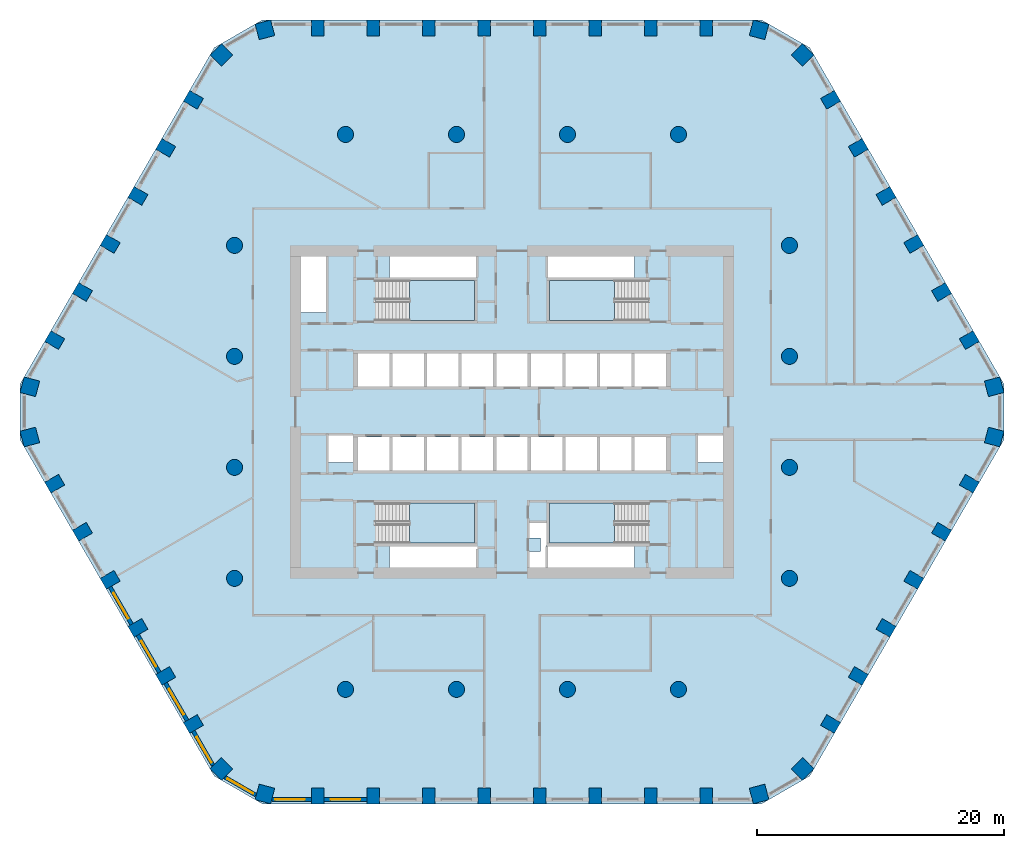
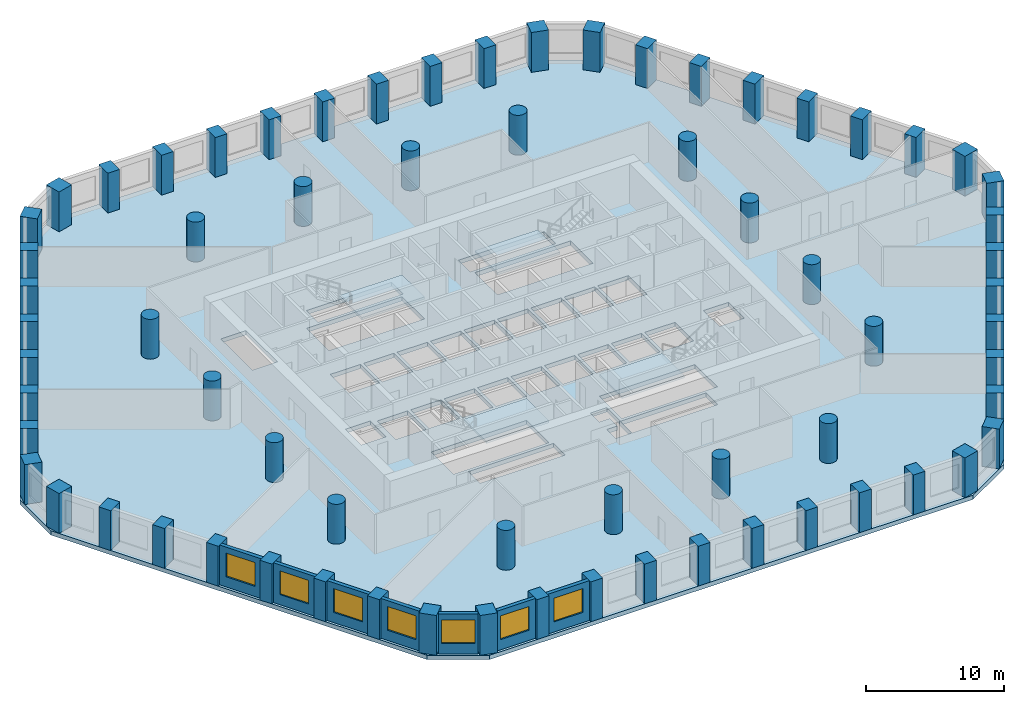
# One storey, part 1 of 10: 68 columns, 7 walls, 7 windows, 5 slabs, 7 openings, 4 elements without a shape of their own.
"""IFC4 building model written with IfcOpenShell, lengths in metres."""

from ifc_helpers import new_model, si_unit, direction, frame, frame_2d, origin, origin_2d, place, context, subcontext, project, spatial, polyline, rectangle, circle, outline, extrude, material, layer, layer_set, material_profile, profile_set, type_object, element, fill, aggregate, save


model = new_model("IFC4")

# Units and contexts
model_context = context("Model", 3, precision=1e-05, world=origin(), true_north=direction((0.0, 1.0)))
body_context = subcontext(model_context, "Body", "Model", "MODEL_VIEW")
ifc_project = project(units=[si_unit("LENGTHUNIT", "METRE"), si_unit("AREAUNIT", "SQUARE_METRE"), si_unit("VOLUMEUNIT", "CUBIC_METRE"), si_unit("PLANEANGLEUNIT", "RADIAN"), si_unit("MASSUNIT", "GRAM", prefix="KILO")], contexts=[model_context])

# Site, building, storey
site_placement = place(None, origin())
site = spatial("IfcSite", under=ifc_project, at=site_placement, CompositionType="ELEMENT")
building_placement = place(site_placement, origin())
building = spatial("IfcBuilding", under=site, at=building_placement, Name="Dhurran Vertical Campus", CompositionType="ELEMENT")
storey_placement = place(building_placement, frame((0.0, 0.0, 85.199951171875)))
storey = spatial("IfcBuildingStorey", under=building, at=storey_placement, Name="L20", CompositionType="ELEMENT", Elevation=85.199951171875)

# Columns
ifc_material_1 = material(Name="Concrete C60/75", Category="concrete")
ifc_material_profile_1 = material_profile(ifc_material_1, rectangle(XDim=1.0, YDim=1.300048828125, at=origin_2d()), Name="RC 1000x1300")
ifc_profile_set_1 = profile_set([ifc_material_profile_1], Name="Concrete C60/75")
column_type_1 = type_object("IfcColumnType", Name="FR COL RC 1000x1300 C60/75", PredefinedType="COLUMN", material=ifc_profile_set_1)
for number, where, z_axis, x_axis, name in (
    (1, (-15.75, -31.1298828125, 0.0), (0.0, 0.0, 1.0), (1.0, 0.0, 0.0), "Perimeter pier PP2.01"),
    (2, (-11.25, -31.1298828125, 0.0), (0.0, 0.0, 1.0), (1.0, 0.0, 0.0), "Perimeter pier PP2.02"),
    (3, (-6.75, -31.1298828125, 0.0), (0.0, 0.0, 1.0), (1.0, 0.0, 0.0), "Perimeter pier PP2.03"),
    (4, (-2.25, -31.1298828125, 0.0), (0.0, 0.0, 1.0), (1.0, 0.0, 0.0), "Perimeter pier PP2.04"),
    (5, (2.25, -31.1298828125, 0.0), (0.0, 0.0, 1.0), (1.0, 0.0, 0.0), "Perimeter pier PP2.05"),
    (6, (6.75, -31.1298828125, 0.0), (0.0, 0.0, 1.0), (1.0, 0.0, 0.0), "Perimeter pier PP2.06"),
    (7, (11.25, -31.1298828125, 0.0), (0.0, 0.0, 1.0), (1.0, 0.0, 0.0), "Perimeter pier PP2.07"),
    (8, (15.75, -31.1298828125, 0.0), (0.0, 0.0, 1.0), (1.0, 0.0, 0.0), "Perimeter pier PP2.08"),
    (9, (25.834228515625, -25.3076171875, 0.0), (0.0, 0.0, 1.0), (0.5, 0.866025403784, 0.0), "Perimeter pier PP2.11"),
    (10, (28.084228515625, -21.41064453125, 0.0), (0.0, 0.0, 1.0), (0.5, 0.866025403784, 0.0), "Perimeter pier PP2.12"),
    (11, (30.334228515625, -17.513427734375, 0.0), (0.0, 0.0, 1.0), (0.5, 0.866025403784, 0.0), "Perimeter pier PP2.13"),
    (12, (32.584228515625, -13.6162109375, 0.0), (0.0, 0.0, 1.0), (0.5, 0.866025403784, 0.0), "Perimeter pier PP2.14"),
    (13, (34.834228515625, -9.71923828125, 0.0), (0.0, 0.0, 1.0), (0.5, 0.866025403784, 0.0), "Perimeter pier PP2.15"),
    (14, (37.084228515625, -5.822021484375, 0.0), (0.0, 0.0, 1.0), (0.5, 0.866025403784, 0.0), "Perimeter pier PP2.16"),
    (15, (37.084228515625, 5.822021484375, 0.0), (0.0, 0.0, 1.0), (-0.5, 0.866025403784, 0.0), "Perimeter pier PP2.19"),
    (16, (34.834228515625, 9.71923828125, 0.0), (0.0, 0.0, 1.0), (-0.5, 0.866025403784, 0.0), "Perimeter pier PP2.20"),
    (17, (32.584228515625, 13.6162109375, 0.0), (0.0, 0.0, 1.0), (-0.5, 0.866025403784, 0.0), "Perimeter pier PP2.21"),
    (18, (30.334228515625, 17.513427734375, 0.0), (0.0, 0.0, 1.0), (-0.5, 0.866025403784, 0.0), "Perimeter pier PP2.22"),
    (19, (28.084228515625, 21.41064453125, 0.0), (0.0, 0.0, 1.0), (-0.5, 0.866025403784, 0.0), "Perimeter pier PP2.23"),
    (20, (25.834228515625, 25.3076171875, 0.0), (0.0, 0.0, 1.0), (-0.5, 0.866025403784, 0.0), "Perimeter pier PP2.24"),
    (21, (15.75, 31.1298828125, 0.0), (0.0, 0.0, 1.0), (-1.0, 0.0, 0.0), "Perimeter pier PP2.27"),
    (22, (11.25, 31.1298828125, 0.0), (0.0, 0.0, 1.0), (-1.0, 0.0, 0.0), "Perimeter pier PP2.28"),
    (23, (6.75, 31.1298828125, 0.0), (0.0, 0.0, 1.0), (-1.0, 0.0, 0.0), "Perimeter pier PP2.29"),
    (24, (2.25, 31.1298828125, 0.0), (0.0, 0.0, 1.0), (-1.0, 0.0, 0.0), "Perimeter pier PP2.30"),
    (25, (-2.25, 31.1298828125, 0.0), (0.0, 0.0, 1.0), (-1.0, 0.0, 0.0), "Perimeter pier PP2.31"),
    (26, (-6.75, 31.1298828125, 0.0), (0.0, 0.0, 1.0), (-1.0, 0.0, 0.0), "Perimeter pier PP2.32"),
    (27, (-11.25, 31.1298828125, 0.0), (0.0, 0.0, 1.0), (-1.0, 0.0, 0.0), "Perimeter pier PP2.33"),
    (28, (-15.75, 31.1298828125, 0.0), (0.0, 0.0, 1.0), (-1.0, 0.0, 0.0), "Perimeter pier PP2.34"),
    (29, (-25.834228515625, 25.3076171875, 0.0), (0.0, 0.0, 1.0), (-0.5, -0.866025403784, 0.0), "Perimeter pier PP2.37"),
    (30, (-28.084228515625, 21.41064453125, 0.0), (0.0, 0.0, 1.0), (-0.5, -0.866025403784, 0.0), "Perimeter pier PP2.38"),
    (31, (-30.334228515625, 17.513427734375, 0.0), (0.0, 0.0, 1.0), (-0.5, -0.866025403784, 0.0), "Perimeter pier PP2.39"),
    (32, (-32.584228515625, 13.6162109375, 0.0), (0.0, 0.0, 1.0), (-0.5, -0.866025403784, 0.0), "Perimeter pier PP2.40"),
    (33, (-34.834228515625, 9.71923828125, 0.0), (0.0, 0.0, 1.0), (-0.5, -0.866025403784, 0.0), "Perimeter pier PP2.41"),
    (34, (-37.084228515625, 5.822021484375, 0.0), (0.0, 0.0, 1.0), (-0.5, -0.866025403784, 0.0), "Perimeter pier PP2.42"),
    (35, (-37.084228515625, -5.822021484375, 0.0), (0.0, 0.0, 1.0), (0.5, -0.866025403784, 0.0), "Perimeter pier PP2.45"),
    (36, (-34.834228515625, -9.71923828125, 0.0), (0.0, 0.0, 1.0), (0.5, -0.866025403784, 0.0), "Perimeter pier PP2.46"),
    (37, (-32.584228515625, -13.6162109375, 0.0), (0.0, 0.0, 1.0), (0.5, -0.866025403784, 0.0), "Perimeter pier PP2.47"),
    (38, (-30.334228515625, -17.513427734375, 0.0), (0.0, 0.0, 1.0), (0.5, -0.866025403784, 0.0), "Perimeter pier PP2.48"),
    (39, (-28.084228515625, -21.41064453125, 0.0), (0.0, 0.0, 1.0), (0.5, -0.866025403784, 0.0), "Perimeter pier PP2.49"),
    (40, (-25.834228515625, -25.3076171875, 0.0), (0.0, 0.0, 1.0), (0.5, -0.866025403784, 0.0), "Perimeter pier PP2.50"),
):
    element("IfcColumn", number, at=place(storey_placement, frame(where, z_axis=z_axis, x_axis=x_axis)), inside=storey, type_object=column_type_1, Name=name, PredefinedType="COLUMN", context=body_context, shape_type="SweptSolid", body=[
        extrude(rectangle(XDim=1.0, YDim=1.300048828125, at=origin_2d()), origin(), (0.0, 0.0, 1.0), 3.525146484375),
    ])
ifc_material_2 = material(Name="Concrete C60/75", Category="concrete")
ifc_material_profile_2 = material_profile(ifc_material_2, rectangle(XDim=1.300048828125, YDim=1.300048828125, at=origin_2d()), Name="RC 1300x1300")
ifc_profile_set_2 = profile_set([ifc_material_profile_2], Name="Concrete C60/75")
column_type_2 = type_object("IfcColumnType", Name="FR COL RC 1300x1300 C60/75", PredefinedType="COLUMN", material=ifc_profile_set_2)
for number, where, z_axis, x_axis, name in (
    (41, (-20.03662109375, -30.983642578125, 0.0), (0.0, 0.0, 1.0), (0.965925826289, -0.258819045103, 0.0), "Perimeter pier PP2.00"),
    (42, (20.03662109375, -30.983642578125, 0.0), (0.0, 0.0, 1.0), (0.965925826289, 0.258819045103, 0.0), "Perimeter pier PP2.09"),
    (43, (23.564208984375, -28.947021484375, 0.0), (0.0, 0.0, 1.0), (0.707106781187, 0.707106781187, 0.0), "Perimeter pier PP2.10"),
    (44, (39.10107421875, -2.03662109375, 0.0), (0.0, 0.0, 1.0), (0.258819045103, 0.965925826289, 0.0), "Perimeter pier PP2.17"),
    (45, (39.10107421875, 2.03662109375, 0.0), (0.0, 0.0, 1.0), (-0.258819045103, 0.965925826289, 0.0), "Perimeter pier PP2.18"),
    (46, (23.564208984375, 28.947021484375, 0.0), (0.0, 0.0, 1.0), (-0.707106781187, 0.707106781187, 0.0), "Perimeter pier PP2.25"),
    (47, (20.03662109375, 30.983642578125, 0.0), (0.0, 0.0, 1.0), (-0.965925826289, 0.258819045103, 0.0), "Perimeter pier PP2.26"),
    (48, (-20.03662109375, 30.983642578125, 0.0), (0.0, 0.0, 1.0), (-0.965925826289, -0.258819045103, 0.0), "Perimeter pier PP2.35"),
    (49, (-23.564208984375, 28.947021484375, 0.0), (0.0, 0.0, 1.0), (-0.707106781187, -0.707106781187, 0.0), "Perimeter pier PP2.36"),
    (50, (-39.10107421875, 2.03662109375, 0.0), (0.0, 0.0, 1.0), (-0.258819045103, -0.965925826289, 0.0), "Perimeter pier PP2.43"),
    (51, (-39.10107421875, -2.03662109375, 0.0), (0.0, 0.0, 1.0), (0.258819045103, -0.965925826289, 0.0), "Perimeter pier PP2.44"),
    (52, (-23.564208984375, -28.947021484375, 0.0), (0.0, 0.0, 1.0), (0.707106781187, -0.707106781187, 0.0), "Perimeter pier PP2.51"),
):
    element("IfcColumn", number, at=place(storey_placement, frame(where, z_axis=z_axis, x_axis=x_axis)), inside=storey, type_object=column_type_2, Name=name, PredefinedType="COLUMN", context=body_context, shape_type="SweptSolid", body=[
        extrude(rectangle(XDim=1.300048828125, YDim=1.300048828125, at=origin_2d()), origin(), (0.0, 0.0, 1.0), 3.525146484375),
    ])
ifc_material_3 = material(Name="Concrete C60/75", Category="concrete")
ifc_material_profile_3 = material_profile(ifc_material_3, circle(Radius=0.64990234375, at=origin_2d()), Name="RCC D1300")
ifc_profile_set_3 = profile_set([ifc_material_profile_3], Name="Concrete C60/75")
column_type_3 = type_object("IfcColumnType", Name="FR COL RCC D1300 C60/75", PredefinedType="COLUMN", material=ifc_profile_set_3)
for number, where, z_axis, x_axis, name in (
    (53, (-22.5, -13.5, 0.0), (0.0, 0.0, 1.0), (1.0, 0.0, 0.0), "Inner column IC2-D4"),
    (54, (-22.5, -4.5, 0.0), (0.0, 0.0, 1.0), (1.0, 0.0, 0.0), "Inner column IC2-D5"),
    (55, (-22.5, 4.5, 0.0), (0.0, 0.0, 1.0), (1.0, 0.0, 0.0), "Inner column IC2-D6"),
    (56, (-22.5, 13.5, 0.0), (0.0, 0.0, 1.0), (1.0, 0.0, 0.0), "Inner column IC2-D7"),
    (57, (-13.5, -22.5, 0.0), (0.0, 0.0, 1.0), (1.0, 0.0, 0.0), "Inner column IC2-E3"),
    (58, (-13.5, 22.5, 0.0), (0.0, 0.0, 1.0), (1.0, 0.0, 0.0), "Inner column IC2-E8"),
    (59, (-4.5, -22.5, 0.0), (0.0, 0.0, 1.0), (1.0, 0.0, 0.0), "Inner column IC2-F3"),
    (60, (-4.5, 22.5, 0.0), (0.0, 0.0, 1.0), (1.0, 0.0, 0.0), "Inner column IC2-F8"),
    (61, (4.5, -22.5, 0.0), (0.0, 0.0, 1.0), (1.0, 0.0, 0.0), "Inner column IC2-G3"),
    (62, (4.5, 22.5, 0.0), (0.0, 0.0, 1.0), (1.0, 0.0, 0.0), "Inner column IC2-G8"),
    (63, (13.5, -22.5, 0.0), (0.0, 0.0, 1.0), (1.0, 0.0, 0.0), "Inner column IC2-H3"),
    (64, (13.5, 22.5, 0.0), (0.0, 0.0, 1.0), (1.0, 0.0, 0.0), "Inner column IC2-H8"),
    (65, (22.5, -13.5, 0.0), (0.0, 0.0, 1.0), (1.0, 0.0, 0.0), "Inner column IC2-J4"),
    (66, (22.5, -4.5, 0.0), (0.0, 0.0, 1.0), (1.0, 0.0, 0.0), "Inner column IC2-J5"),
    (67, (22.5, 4.5, 0.0), (0.0, 0.0, 1.0), (1.0, 0.0, 0.0), "Inner column IC2-J6"),
    (68, (22.5, 13.5, 0.0), (0.0, 0.0, 1.0), (1.0, 0.0, 0.0), "Inner column IC2-J7"),
):
    element("IfcColumn", number, at=place(storey_placement, frame(where, z_axis=z_axis, x_axis=x_axis)), inside=storey, type_object=column_type_3, Name=name, PredefinedType="COLUMN", context=body_context, shape_type="SweptSolid", body=[
        extrude(circle(Radius=0.64990234375, at=origin_2d()), origin(), (0.0, 0.0, 1.0), 3.525146484375),
    ])

# Slab
ifc_material_4 = material(Name="Concrete C40/50", Category="concrete")
ifc_layer_1 = layer(ifc_material_4, 0.375)
ifc_layer_set_1 = layer_set([ifc_layer_1], Name="Concrete C40/50")
slab_type_1 = type_object("IfcSlabType", Name="FR POST-TENSIONED FLAT SLAB 375", PredefinedType="FLOOR", material=ifc_layer_set_1)
slab_1_placement = place(storey_placement, frame((0.0, 0.0, -0.375)))
element("IfcSlab", 69, at=slab_1_placement, inside=storey, type_object=slab_type_1, Name="Floor slab L20", PredefinedType="FLOOR", context=body_context, shape_type="SweptSolid", body=[
    extrude(outline(polyline([(-20.25, -31.77978515625), (20.25, -31.77978515625), (24.147216796875, -29.52978515625), (39.897216796875, -2.25), (39.897216796875, 2.25), (24.147216796875, 29.52978515625), (20.25, 31.77978515625), (-20.25, 31.77978515625), (-24.147216796875, 29.52978515625), (-39.897216796875, 2.25), (-39.897216796875, -2.25), (-24.147216796875, -29.52978515625), (-20.25, -31.77978515625)]), holes=[polyline([(-12.47509765625, 2.050048828125), (-9.925048828125, 2.050048828125), (-9.925048828125, 4.75), (-12.47509765625, 4.75), (-12.47509765625, 2.050048828125)]), polyline([(-9.675048828125, 2.050048828125), (-7.125, 2.050048828125), (-7.125, 4.75), (-9.675048828125, 4.75), (-9.675048828125, 2.050048828125)]), polyline([(-6.875, 2.050048828125), (-4.324951171875, 2.050048828125), (-4.324951171875, 4.75), (-6.875, 4.75), (-6.875, 2.050048828125)]), polyline([(-1.27490234375, 2.050048828125), (1.27490234375, 2.050048828125), (1.27490234375, 4.75), (-1.27490234375, 4.75), (-1.27490234375, 2.050048828125)]), polyline([(9.925048828125, 2.050048828125), (12.47509765625, 2.050048828125), (12.47509765625, 4.75), (9.925048828125, 4.75), (9.925048828125, 2.050048828125)]), polyline([(-1.27490234375, -4.75), (1.27490234375, -4.75), (1.27490234375, -2.050048828125), (-1.27490234375, -2.050048828125), (-1.27490234375, -4.75)]), polyline([(1.52490234375, -4.75), (4.074951171875, -4.75), (4.074951171875, -2.050048828125), (1.52490234375, -2.050048828125), (1.52490234375, -4.75)]), polyline([(4.324951171875, -4.75), (6.875, -4.75), (6.875, -2.050048828125), (4.324951171875, -2.050048828125), (4.324951171875, -4.75)]), polyline([(7.125, -4.75), (9.675048828125, -4.75), (9.675048828125, -2.050048828125), (7.125, -2.050048828125), (7.125, -4.75)]), polyline([(9.925048828125, -4.75), (12.47509765625, -4.75), (12.47509765625, -2.050048828125), (9.925048828125, -2.050048828125), (9.925048828125, -4.75)]), polyline([(-4.074951171875, 2.050048828125), (-1.52490234375, 2.050048828125), (-1.52490234375, 4.75), (-4.074951171875, 4.75), (-4.074951171875, 2.050048828125)]), polyline([(1.52490234375, 2.050048828125), (4.074951171875, 2.050048828125), (4.074951171875, 4.75), (1.52490234375, 4.75), (1.52490234375, 2.050048828125)]), polyline([(4.324951171875, 2.050048828125), (6.875, 2.050048828125), (6.875, 4.75), (4.324951171875, 4.75), (4.324951171875, 2.050048828125)]), polyline([(7.125, 2.050048828125), (9.675048828125, 2.050048828125), (9.675048828125, 4.75), (7.125, 4.75), (7.125, 2.050048828125)]), polyline([(-12.47509765625, -4.75), (-9.925048828125, -4.75), (-9.925048828125, -2.050048828125), (-12.47509765625, -2.050048828125), (-12.47509765625, -4.75)]), polyline([(-9.675048828125, -4.75), (-7.125, -4.75), (-7.125, -2.050048828125), (-9.675048828125, -2.050048828125), (-9.675048828125, -4.75)]), polyline([(-6.875, -4.75), (-4.324951171875, -4.75), (-4.324951171875, -2.050048828125), (-6.875, -2.050048828125), (-6.875, -4.75)]), polyline([(-4.074951171875, -4.75), (-1.52490234375, -4.75), (-1.52490234375, -2.050048828125), (-4.074951171875, -2.050048828125), (-4.074951171875, -4.75)]), polyline([(-11.050048828125, 7.39990234375), (-3.050048828125, 7.39990234375), (-3.050048828125, 10.64990234375), (-11.050048828125, 10.64990234375), (-11.050048828125, 7.39990234375)]), polyline([(3.050048828125, 7.39990234375), (11.050048828125, 7.39990234375), (11.050048828125, 10.64990234375), (3.050048828125, 10.64990234375), (3.050048828125, 7.39990234375)]), polyline([(-11.050048828125, -10.64990234375), (-3.050048828125, -10.64990234375), (-3.050048828125, -7.39990234375), (-11.050048828125, -7.39990234375), (-11.050048828125, -10.64990234375)]), polyline([(3.050048828125, -10.64990234375), (11.050048828125, -10.64990234375), (11.050048828125, -7.39990234375), (3.050048828125, -7.39990234375), (3.050048828125, -10.64990234375)]), polyline([(-9.949951171875, 10.89990234375), (-9.949951171875, 12.60009765625), (-2.800048828125, 12.60009765625), (-2.800048828125, 10.89990234375), (-9.949951171875, 10.89990234375)]), polyline([(9.949951171875, 12.60009765625), (9.949951171875, 10.89990234375), (2.800048828125, 10.89990234375), (2.800048828125, 12.60009765625), (9.949951171875, 12.60009765625)]), polyline([(-9.949951171875, -12.60009765625), (-9.949951171875, -10.89990234375), (-2.800048828125, -10.89990234375), (-2.800048828125, -12.60009765625), (-9.949951171875, -12.60009765625)]), polyline([(9.949951171875, -10.89990234375), (9.949951171875, -12.60009765625), (2.800048828125, -12.60009765625), (2.800048828125, -10.89990234375), (9.949951171875, -10.89990234375)]), polyline([(-12.89990234375, -4.10009765625), (-15.0, -4.10009765625), (-15.0, -1.800048828125), (-12.89990234375, -1.800048828125), (-12.89990234375, -4.10009765625)]), polyline([(-15.0, 8.050048828125), (-17.10009765625, 8.050048828125), (-17.10009765625, 12.60009765625), (-15.0, 12.60009765625), (-15.0, 8.050048828125)]), polyline([(17.10009765625, -4.10009765625), (15.0, -4.10009765625), (15.0, -1.800048828125), (17.10009765625, -1.800048828125), (17.10009765625, -4.10009765625)]), polyline([(2.800048828125, -10.85009765625), (2.75, -10.85009765625), (2.75, -12.60009765625), (1.39990234375, -12.60009765625), (1.39990234375, -11.3125), (2.300048828125, -11.3125), (2.300048828125, -10.21240234375), (1.39990234375, -10.21240234375), (1.39990234375, -8.925048828125), (2.800048828125, -8.925048828125), (2.800048828125, -10.85009765625)])]), origin(), (0.0, 0.0, 1.0), 0.375),
])

# Stair, slab
ifc_material_5 = material(Name="Concrete C40/50", Category="concrete")
stair_type = type_object("IfcStairType", Name="co-ST-CORE", PredefinedType="HALF_TURN_STAIR", material=ifc_material_5)
stair_1_placement = place(storey_placement, origin())
stair_1 = element("IfcStair", 70, at=stair_1_placement, inside=storey, type_object=stair_type, Name="L20 Protected exit stair ST1", PredefinedType="HALF_TURN_STAIR")
ifc_material_6 = material(Name="Concrete C40/50", Category="concrete")
ifc_layer_2 = layer(ifc_material_6, 0.199951171875)
ifc_layer_set_2 = layer_set([ifc_layer_2], Name="Concrete C40/50")
slab_type_2 = type_object("IfcSlabType", Name="co-SL-LANDING", PredefinedType="LANDING", material=ifc_layer_set_2)
slab_2_placement = place(storey_placement, frame((0.0, 0.0, 1.75)))
slab_2 = element("IfcSlab", 71, at=slab_2_placement, type_object=slab_type_2, Name="ST1 landing 1", PredefinedType="LANDING", context=body_context, shape_type="SweptSolid", body=[
    extrude(outline(polyline([(-8.300048828125, 7.39990234375), (-3.050048828125, 7.39990234375), (-3.050048828125, 10.64990234375), (-8.300048828125, 10.64990234375), (-8.300048828125, 7.39990234375)])), origin(), (0.0, 0.0, 1.0), 0.199951171875),
])
aggregate(stair_1, [slab_2])

stair_2_placement = place(storey_placement, origin())
stair_2 = element("IfcStair", 72, at=stair_2_placement, inside=storey, type_object=stair_type, Name="L20 Protected exit stair ST2", PredefinedType="HALF_TURN_STAIR")
slab_3_placement = place(storey_placement, frame((0.0, 0.0, 1.75)))
slab_3 = element("IfcSlab", 73, at=slab_3_placement, type_object=slab_type_2, Name="ST2 landing 1", PredefinedType="LANDING", context=body_context, shape_type="SweptSolid", body=[
    extrude(outline(polyline([(8.300048828125, 10.64990234375), (3.050048828125, 10.64990234375), (3.050048828125, 7.39990234375), (8.300048828125, 7.39990234375), (8.300048828125, 10.64990234375)])), origin(), (0.0, 0.0, 1.0), 0.199951171875),
])
aggregate(stair_2, [slab_3])

stair_3_placement = place(storey_placement, origin())
stair_3 = element("IfcStair", 74, at=stair_3_placement, inside=storey, type_object=stair_type, Name="L20 Protected exit stair ST3", PredefinedType="HALF_TURN_STAIR")
slab_4_placement = place(storey_placement, frame((0.0, 0.0, 1.75)))
slab_4 = element("IfcSlab", 75, at=slab_4_placement, type_object=slab_type_2, Name="ST3 landing 1", PredefinedType="LANDING", context=body_context, shape_type="SweptSolid", body=[
    extrude(outline(polyline([(-8.300048828125, -10.64990234375), (-3.050048828125, -10.64990234375), (-3.050048828125, -7.39990234375), (-8.300048828125, -7.39990234375), (-8.300048828125, -10.64990234375)])), origin(), (0.0, 0.0, 1.0), 0.199951171875),
])
aggregate(stair_3, [slab_4])

stair_4_placement = place(storey_placement, origin())
stair_4 = element("IfcStair", 76, at=stair_4_placement, inside=storey, type_object=stair_type, Name="L20 Protected exit stair ST4", PredefinedType="HALF_TURN_STAIR")
slab_5_placement = place(storey_placement, frame((0.0, 0.0, 1.75)))
slab_5 = element("IfcSlab", 77, at=slab_5_placement, type_object=slab_type_2, Name="ST4 landing 1", PredefinedType="LANDING", context=body_context, shape_type="SweptSolid", body=[
    extrude(outline(polyline([(8.300048828125, -7.39990234375), (3.050048828125, -7.39990234375), (3.050048828125, -10.64990234375), (8.300048828125, -10.64990234375), (8.300048828125, -7.39990234375)])), origin(), (0.0, 0.0, 1.0), 0.199951171875),
])
aggregate(stair_4, [slab_5])

# Wall, opening, window
ifc_material_7 = material(Name="Precast concrete C50/60", Category="concrete")
ifc_layer_3 = layer(ifc_material_7, 0.300048828125)
ifc_layer_set_3 = layer_set([ifc_layer_3], Name="Precast concrete C50/60")
wall_type = type_object("IfcWallType", Name="Precast spandrel wall 300", PredefinedType="SOLIDWALL", material=ifc_layer_set_3)
wall_1_placement = place(storey_placement, frame((-19.44287109375, -31.4296875, 0.0), z_axis=(0.0, 0.0, 1.0), x_axis=(1.0, 0.0, 0.0)))
wall_1 = element("IfcWall", 78, at=wall_1_placement, inside=storey, type_object=wall_type, Name="EW1 L20.00", PredefinedType="SOLIDWALL", context=body_context, shape_type="SweptSolid", body=[
    extrude(rectangle(XDim=3.1923828125, YDim=0.300048828125, at=frame_2d((1.59619140625, 0.0))), origin(), (0.0, 0.0, 1.0), 3.525146484375),
])
opening_1_placement = place(wall_1_placement, frame((0.242919921875, 0.0, 0.89990234375)))
opening_1 = element("IfcOpeningElement", 79, at=opening_1_placement, cuts=wall_1, Name="Opening WT1", PredefinedType="OPENING", context=body_context, shape_type="SweptSolid", body=[
    extrude(rectangle(XDim=2.39990234375, YDim=2.10009765625, at=frame_2d((1.199951171875, 1.050048828125))), frame((0.0, 0.159912109375, 0.0), z_axis=(0.0, -1.0, 0.0), x_axis=(1.0, 0.0, 0.0)), (0.0, 0.0, 1.0), 0.320068359375),
])
ifc_material_8 = material(Name="Aluminium frame with solar-control glass", Category="aluminium")
window_type = type_object("IfcWindowType", Name="Punched window 2400 x 2100", PartitioningType="SINGLE_PANEL", PredefinedType="WINDOW", material=ifc_material_8)
window_1_placement = place(opening_1_placement, origin())
window_1 = element("IfcWindow", 80, at=window_1_placement, inside=storey, type_object=window_type, Name="WT1 L20.00", OverallHeight=2.10009765625, OverallWidth=2.39990234375, PartitioningType="SINGLE_PANEL", PredefinedType="WINDOW", context=body_context, shape_type="SweptSolid", body=[
    extrude(rectangle(XDim=2.39990234375, YDim=2.10009765625, at=frame_2d((1.199951171875, 1.050048828125))), frame((0.0, 0.030029296875, 0.0), z_axis=(0.0, -1.0, 0.0), x_axis=(1.0, 0.0, 0.0)), (0.0, 0.0, 1.0), 0.06005859375),
])
fill(opening_1, window_1)

wall_2_placement = place(storey_placement, frame((-15.24951171875, -31.4296875, 0.0), z_axis=(0.0, 0.0, 1.0), x_axis=(1.0, 0.0, 0.0)))
wall_2 = element("IfcWall", 81, at=wall_2_placement, inside=storey, type_object=wall_type, Name="EW1 L20.01", PredefinedType="SOLIDWALL", context=body_context, shape_type="SweptSolid", body=[
    extrude(rectangle(XDim=3.4990234375, YDim=0.300048828125, at=frame_2d((1.74951171875, 0.0))), origin(), (0.0, 0.0, 1.0), 3.525146484375),
])
opening_2_placement = place(wall_2_placement, frame((0.549560546875, 0.0, 0.89990234375)))
opening_2 = element("IfcOpeningElement", 82, at=opening_2_placement, cuts=wall_2, Name="Opening WT1", PredefinedType="OPENING", context=body_context, shape_type="SweptSolid", body=[
    extrude(rectangle(XDim=2.39990234375, YDim=2.10009765625, at=frame_2d((1.199951171875, 1.050048828125))), frame((0.0, 0.159912109375, 0.0), z_axis=(0.0, -1.0, 0.0), x_axis=(1.0, 0.0, 0.0)), (0.0, 0.0, 1.0), 0.320068359375),
])
window_2_placement = place(opening_2_placement, origin())
window_2 = element("IfcWindow", 83, at=window_2_placement, inside=storey, type_object=window_type, Name="WT1 L20.01", OverallHeight=2.10009765625, OverallWidth=2.39990234375, PartitioningType="SINGLE_PANEL", PredefinedType="WINDOW", context=body_context, shape_type="SweptSolid", body=[
    extrude(rectangle(XDim=2.39990234375, YDim=2.10009765625, at=frame_2d((1.199951171875, 1.050048828125))), frame((0.0, 0.030029296875, 0.0), z_axis=(0.0, -1.0, 0.0), x_axis=(1.0, 0.0, 0.0)), (0.0, 0.0, 1.0), 0.06005859375),
])
fill(opening_2, window_2)

wall_3_placement = place(storey_placement, frame((-32.59375, -14.19970703125, 0.0), z_axis=(0.0, 0.0, 1.0), x_axis=(0.499996256241, -0.866027565234, 0.0)))
wall_3 = element("IfcWall", 84, at=wall_3_placement, inside=storey, type_object=wall_type, Name="EW1 L20.47", PredefinedType="SOLIDWALL", context=body_context, shape_type="SweptSolid", body=[
    extrude(rectangle(XDim=3.4990234375, YDim=0.300048828125, at=frame_2d((1.74951171875, 0.0))), origin(), (0.0, 0.0, 1.0), 3.525146484375),
])
opening_3_placement = place(wall_3_placement, frame((0.549560546875, 0.0, 0.89990234375)))
opening_3 = element("IfcOpeningElement", 85, at=opening_3_placement, cuts=wall_3, Name="Opening WT1", PredefinedType="OPENING", context=body_context, shape_type="SweptSolid", body=[
    extrude(rectangle(XDim=2.39990234375, YDim=2.10009765625, at=frame_2d((1.199951171875, 1.050048828125))), frame((0.0, 0.159912109375, 0.0), z_axis=(0.0, -1.0, 0.0), x_axis=(1.0, 0.0, 0.0)), (0.0, 0.0, 1.0), 0.320068359375),
])
window_3_placement = place(opening_3_placement, origin())
window_3 = element("IfcWindow", 86, at=window_3_placement, inside=storey, type_object=window_type, Name="WT1 L20.47", OverallHeight=2.10009765625, OverallWidth=2.39990234375, PartitioningType="SINGLE_PANEL", PredefinedType="WINDOW", context=body_context, shape_type="SweptSolid", body=[
    extrude(rectangle(XDim=2.39990234375, YDim=2.10009765625, at=frame_2d((1.199951171875, 1.050048828125))), frame((0.0, 0.030029296875, 0.0), z_axis=(0.0, -1.0, 0.0), x_axis=(1.0, 0.0, 0.0)), (0.0, 0.0, 1.0), 0.06005859375),
])
fill(opening_3, window_3)

wall_4_placement = place(storey_placement, frame((-30.34375, -18.096923828125, 0.0), z_axis=(0.0, 0.0, 1.0), x_axis=(0.499996256241, -0.866027565234, 0.0)))
wall_4 = element("IfcWall", 87, at=wall_4_placement, inside=storey, type_object=wall_type, Name="EW1 L20.48", PredefinedType="SOLIDWALL", context=body_context, shape_type="SweptSolid", body=[
    extrude(rectangle(XDim=3.4990234375, YDim=0.300048828125, at=frame_2d((1.74951171875, 0.0))), origin(), (0.0, 0.0, 1.0), 3.525146484375),
])
opening_4_placement = place(wall_4_placement, frame((0.549560546875, 0.0, 0.89990234375)))
opening_4 = element("IfcOpeningElement", 88, at=opening_4_placement, cuts=wall_4, Name="Opening WT1", PredefinedType="OPENING", context=body_context, shape_type="SweptSolid", body=[
    extrude(rectangle(XDim=2.39990234375, YDim=2.10009765625, at=frame_2d((1.199951171875, 1.050048828125))), frame((0.0, 0.159912109375, 0.0), z_axis=(0.0, -1.0, 0.0), x_axis=(1.0, 0.0, 0.0)), (0.0, 0.0, 1.0), 0.320068359375),
])
window_4_placement = place(opening_4_placement, origin())
window_4 = element("IfcWindow", 89, at=window_4_placement, inside=storey, type_object=window_type, Name="WT1 L20.48", OverallHeight=2.10009765625, OverallWidth=2.39990234375, PartitioningType="SINGLE_PANEL", PredefinedType="WINDOW", context=body_context, shape_type="SweptSolid", body=[
    extrude(rectangle(XDim=2.39990234375, YDim=2.10009765625, at=frame_2d((1.199951171875, 1.050048828125))), frame((0.0, 0.030029296875, 0.0), z_axis=(0.0, -1.0, 0.0), x_axis=(1.0, 0.0, 0.0)), (0.0, 0.0, 1.0), 0.06005859375),
])
fill(opening_4, window_4)

wall_5_placement = place(storey_placement, frame((-28.09375, -21.993896484375, 0.0), z_axis=(0.0, 0.0, 1.0), x_axis=(0.499996256241, -0.866027565234, 0.0)))
wall_5 = element("IfcWall", 90, at=wall_5_placement, inside=storey, type_object=wall_type, Name="EW1 L20.49", PredefinedType="SOLIDWALL", context=body_context, shape_type="SweptSolid", body=[
    extrude(rectangle(XDim=3.4990234375, YDim=0.300048828125, at=frame_2d((1.74951171875, 0.0))), origin(), (0.0, 0.0, 1.0), 3.525146484375),
])
opening_5_placement = place(wall_5_placement, frame((0.549560546875, 0.0, 0.89990234375)))
opening_5 = element("IfcOpeningElement", 91, at=opening_5_placement, cuts=wall_5, Name="Opening WT1", PredefinedType="OPENING", context=body_context, shape_type="SweptSolid", body=[
    extrude(rectangle(XDim=2.39990234375, YDim=2.10009765625, at=frame_2d((1.199951171875, 1.050048828125))), frame((0.0, 0.159912109375, 0.0), z_axis=(0.0, -1.0, 0.0), x_axis=(1.0, 0.0, 0.0)), (0.0, 0.0, 1.0), 0.320068359375),
])
window_5_placement = place(opening_5_placement, origin())
window_5 = element("IfcWindow", 92, at=window_5_placement, inside=storey, type_object=window_type, Name="WT1 L20.49", OverallHeight=2.10009765625, OverallWidth=2.39990234375, PartitioningType="SINGLE_PANEL", PredefinedType="WINDOW", context=body_context, shape_type="SweptSolid", body=[
    extrude(rectangle(XDim=2.39990234375, YDim=2.10009765625, at=frame_2d((1.199951171875, 1.050048828125))), frame((0.0, 0.030029296875, 0.0), z_axis=(0.0, -1.0, 0.0), x_axis=(1.0, 0.0, 0.0)), (0.0, 0.0, 1.0), 0.06005859375),
])
fill(opening_5, window_5)

wall_6_placement = place(storey_placement, frame((-25.84375, -25.89111328125, 0.0), z_axis=(0.0, 0.0, 1.0), x_axis=(0.500004907028, -0.866022570692, 0.0)))
wall_6 = element("IfcWall", 93, at=wall_6_placement, inside=storey, type_object=wall_type, Name="EW1 L20.50", PredefinedType="SOLIDWALL", context=body_context, shape_type="SweptSolid", body=[
    extrude(rectangle(XDim=3.1923828125, YDim=0.300048828125, at=frame_2d((1.59619140625, 0.0))), origin(), (0.0, 0.0, 1.0), 3.525146484375),
])
opening_6_placement = place(wall_6_placement, frame((0.549560546875, 0.0, 0.89990234375)))
opening_6 = element("IfcOpeningElement", 94, at=opening_6_placement, cuts=wall_6, Name="Opening WT1", PredefinedType="OPENING", context=body_context, shape_type="SweptSolid", body=[
    extrude(rectangle(XDim=2.39990234375, YDim=2.10009765625, at=frame_2d((1.199951171875, 1.050048828125))), frame((0.0, 0.159912109375, 0.0), z_axis=(0.0, -1.0, 0.0), x_axis=(1.0, 0.0, 0.0)), (0.0, 0.0, 1.0), 0.320068359375),
])
window_6_placement = place(opening_6_placement, origin())
window_6 = element("IfcWindow", 95, at=window_6_placement, inside=storey, type_object=window_type, Name="WT1 L20.50", OverallHeight=2.10009765625, OverallWidth=2.39990234375, PartitioningType="SINGLE_PANEL", PredefinedType="WINDOW", context=body_context, shape_type="SweptSolid", body=[
    extrude(rectangle(XDim=2.39990234375, YDim=2.10009765625, at=frame_2d((1.199951171875, 1.050048828125))), frame((0.0, 0.030029296875, 0.0), z_axis=(0.0, -1.0, 0.0), x_axis=(1.0, 0.0, 0.0)), (0.0, 0.0, 1.0), 0.06005859375),
])
fill(opening_6, window_6)

wall_7_placement = place(storey_placement, frame((-23.273193359375, -29.63037109375, 0.0), z_axis=(0.0, 0.0, 1.0), x_axis=(0.866053149362, -0.49995194017, 0.0)))
wall_7 = element("IfcWall", 96, at=wall_7_placement, inside=storey, type_object=wall_type, Name="EW1 L20.51", PredefinedType="SOLIDWALL", context=body_context, shape_type="SweptSolid", body=[
    extrude(rectangle(XDim=2.885498046875, YDim=0.300048828125, at=frame_2d((1.44287109375, 0.0))), origin(), (0.0, 0.0, 1.0), 3.525146484375),
])
opening_7_placement = place(wall_7_placement, frame((0.242919921875, 0.0, 0.89990234375)))
opening_7 = element("IfcOpeningElement", 97, at=opening_7_placement, cuts=wall_7, Name="Opening WT1", PredefinedType="OPENING", context=body_context, shape_type="SweptSolid", body=[
    extrude(rectangle(XDim=2.39990234375, YDim=2.10009765625, at=frame_2d((1.199951171875, 1.050048828125))), frame((0.0, 0.159912109375, 0.0), z_axis=(0.0, -1.0, 0.0), x_axis=(1.0, 0.0, 0.0)), (0.0, 0.0, 1.0), 0.320068359375),
])
window_7_placement = place(opening_7_placement, origin())
window_7 = element("IfcWindow", 98, at=window_7_placement, inside=storey, type_object=window_type, Name="WT1 L20.51", OverallHeight=2.10009765625, OverallWidth=2.39990234375, PartitioningType="SINGLE_PANEL", PredefinedType="WINDOW", context=body_context, shape_type="SweptSolid", body=[
    extrude(rectangle(XDim=2.39990234375, YDim=2.10009765625, at=frame_2d((1.199951171875, 1.050048828125))), frame((0.0, 0.030029296875, 0.0), z_axis=(0.0, -1.0, 0.0), x_axis=(1.0, 0.0, 0.0)), (0.0, 0.0, 1.0), 0.06005859375),
])
fill(opening_7, window_7)

save(model, "model.ifc")
